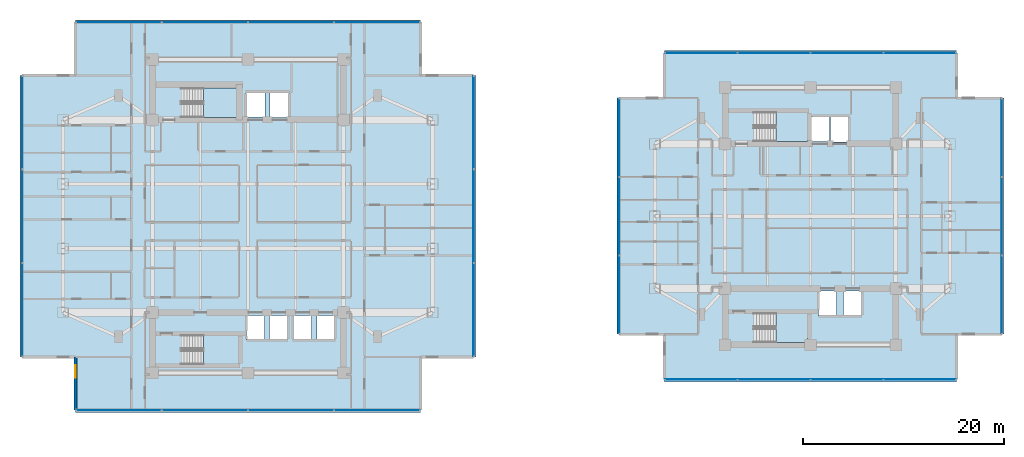
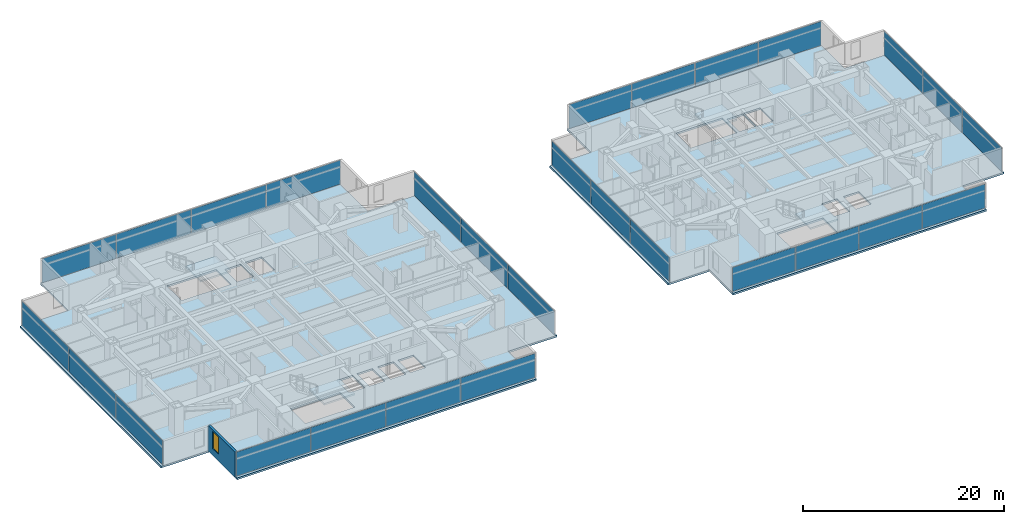
# One storey, part 13 of 26: 28 plates, 6 slabs, 1 wall, 1 window, 1 opening, 12 elements without a shape of their own.
"""IFC4 building model written with IfcOpenShell, lengths in metres."""

from ifc_helpers import new_model, si_unit, direction, frame, frame_2d, origin, origin_2d, place, context, subcontext, project, spatial, polyline, rectangle, outline, extrude, material, layer, layer_set, type_object, element, fill, aggregate, save


model = new_model("IFC4")

# Units and contexts
model_context = context("Model", 3, precision=1e-05, world=origin(), true_north=direction((0.0, 1.0)))
body_context = subcontext(model_context, "Body", "Model", "MODEL_VIEW")
ifc_project = project(units=[si_unit("LENGTHUNIT", "METRE"), si_unit("AREAUNIT", "SQUARE_METRE"), si_unit("VOLUMEUNIT", "CUBIC_METRE"), si_unit("PLANEANGLEUNIT", "RADIAN"), si_unit("MASSUNIT", "GRAM", prefix="KILO")], contexts=[model_context])

# Site, building, storey
site_placement = place(None, origin())
site = spatial("IfcSite", under=ifc_project, at=site_placement, CompositionType="ELEMENT")
building_placement = place(site_placement, origin())
building = spatial("IfcBuilding", under=site, at=building_placement, Name="Mirazonda Arch Towers", CompositionType="ELEMENT")
storey_placement = place(building_placement, frame((0.0, 0.0, 114.800048828125)))
storey = spatial("IfcBuildingStorey", under=building, at=storey_placement, Name="L32", CompositionType="ELEMENT", Elevation=114.800048828125)

# Curtain wall, plates
ifc_material_1 = material(Name="Anodised Aluminium and Low-E Glass", Category="aluminium")
curtain_wall_type = type_object("IfcCurtainWallType", Name="CW-HTL-UNIT", PredefinedType="NOTDEFINED", material=ifc_material_1)
curtain_wall_1_placement = place(storey_placement, origin())
curtain_wall_1 = element("IfcCurtainWall", 1, at=curtain_wall_1_placement, inside=storey, type_object=curtain_wall_type, Name="L32 T1 S Facade CW-L32-T1-S", PredefinedType="NOTDEFINED")
ifc_material_2 = material(Name="Insulated Low-E Solar Glass", Category="glass")
ifc_layer_1 = layer(ifc_material_2, 0.035888671875, Name="PAN-CW-HTL-UNIT")
ifc_layer_set_1 = layer_set([ifc_layer_1], Name="Insulated Low-E Solar Glass")
plate_type = type_object("IfcPlateType", Name="PAN-CW-HTL-UNIT", PredefinedType="CURTAIN_PANEL", material=ifc_layer_set_1)
plate_1_placement = place(storey_placement, frame((33.35498046875, 8.68603515625, 0.0751953125), z_axis=(0.0, 0.0, 1.0), x_axis=(-1.0, 0.0, 0.0)))
plate_1 = element("IfcPlate", 2, at=plate_1_placement, type_object=plate_type, Name="CW-112 panel 1.1", PredefinedType="CURTAIN_PANEL", context=body_context, shape_type="SweptSolid", body=[
    extrude(rectangle(XDim=8.469970703125, YDim=0.035888671875, at=origin_2d()), origin(), (0.0, 0.0, 1.0), 2.909912109375),
])
plate_2_placement = place(storey_placement, frame((24.791259765625, 8.68603515625, 0.0751953125), z_axis=(0.0, 0.0, 1.0), x_axis=(-1.0, 0.0, 0.0)))
plate_2 = element("IfcPlate", 3, at=plate_2_placement, type_object=plate_type, Name="CW-112 panel 2.1", PredefinedType="CURTAIN_PANEL", context=body_context, shape_type="SweptSolid", body=[
    extrude(rectangle(XDim=8.507568359375, YDim=0.035888671875, at=origin_2d()), origin(), (0.0, 0.0, 1.0), 2.909912109375),
])
plate_3_placement = place(storey_placement, frame((16.208740234375, 8.68603515625, 0.0751953125), z_axis=(0.0, 0.0, 1.0), x_axis=(-1.0, 0.0, 0.0)))
plate_3 = element("IfcPlate", 4, at=plate_3_placement, type_object=plate_type, Name="CW-112 panel 3.1", PredefinedType="CURTAIN_PANEL", context=body_context, shape_type="SweptSolid", body=[
    extrude(rectangle(XDim=8.507568359375, YDim=0.035888671875, at=origin_2d()), origin(), (0.0, 0.0, 1.0), 2.909912109375),
])
plate_4_placement = place(storey_placement, frame((7.64501953125, 8.68603515625, 0.0751953125), z_axis=(0.0, 0.0, 1.0), x_axis=(-1.0, 0.0, 0.0)))
plate_4 = element("IfcPlate", 5, at=plate_4_placement, type_object=plate_type, Name="CW-112 panel 4.1", PredefinedType="CURTAIN_PANEL", context=body_context, shape_type="SweptSolid", body=[
    extrude(rectangle(XDim=8.469970703125, YDim=0.035888671875, at=origin_2d()), origin(), (0.0, 0.0, 1.0), 2.909912109375),
])
aggregate(curtain_wall_1, [plate_1, plate_2, plate_3, plate_4])

curtain_wall_2_placement = place(storey_placement, origin())
curtain_wall_2 = element("IfcCurtainWall", 6, at=curtain_wall_2_placement, inside=storey, type_object=curtain_wall_type, Name="L32 T1 E Facade CW-L32-T1-E", PredefinedType="NOTDEFINED")
plate_5_placement = place(storey_placement, frame((42.969970703125, 18.679443359375, 0.0751953125), z_axis=(0.0, 0.0, 1.0), x_axis=(0.0, 1.0, 0.0)))
plate_5 = element("IfcPlate", 7, at=plate_5_placement, type_object=plate_type, Name="CW-112 panel 1.1", PredefinedType="CURTAIN_PANEL", context=body_context, shape_type="SweptSolid", body=[
    extrude(rectangle(XDim=9.226806640625, YDim=0.035888671875, at=origin_2d()), origin(), (0.0, 0.0, 1.0), 2.909912109375),
])
plate_6_placement = place(storey_placement, frame((42.969970703125, 28.0, 0.0751953125), z_axis=(0.0, 0.0, 1.0), x_axis=(0.0, 1.0, 0.0)))
plate_6 = element("IfcPlate", 8, at=plate_6_placement, type_object=plate_type, Name="CW-112 panel 2.1", PredefinedType="CURTAIN_PANEL", context=body_context, shape_type="SweptSolid", body=[
    extrude(rectangle(XDim=9.264404296875, YDim=0.035888671875, at=origin_2d()), origin(), (0.0, 0.0, 1.0), 2.909912109375),
])
plate_7_placement = place(storey_placement, frame((42.969970703125, 37.320556640625, 0.0751953125), z_axis=(0.0, 0.0, 1.0), x_axis=(0.0, 1.0, 0.0)))
plate_7 = element("IfcPlate", 9, at=plate_7_placement, type_object=plate_type, Name="CW-112 panel 3.1", PredefinedType="CURTAIN_PANEL", context=body_context, shape_type="SweptSolid", body=[
    extrude(rectangle(XDim=9.226806640625, YDim=0.035888671875, at=origin_2d()), origin(), (0.0, 0.0, 1.0), 2.909912109375),
])
aggregate(curtain_wall_2, [plate_5, plate_6, plate_7])

curtain_wall_3_placement = place(storey_placement, origin())
curtain_wall_3 = element("IfcCurtainWall", 10, at=curtain_wall_3_placement, inside=storey, type_object=curtain_wall_type, Name="L32 T1 N Facade CW-L32-T1-N", PredefinedType="NOTDEFINED")
plate_8_placement = place(storey_placement, frame((7.64501953125, 47.31396484375, 0.0751953125), z_axis=(0.0, 0.0, 1.0), x_axis=(1.0, 0.0, 0.0)))
plate_8 = element("IfcPlate", 11, at=plate_8_placement, type_object=plate_type, Name="CW-112 panel 1.1", PredefinedType="CURTAIN_PANEL", context=body_context, shape_type="SweptSolid", body=[
    extrude(rectangle(XDim=8.469970703125, YDim=0.035888671875, at=origin_2d()), origin(), (0.0, 0.0, 1.0), 2.909912109375),
])
plate_9_placement = place(storey_placement, frame((16.208740234375, 47.31396484375, 0.0751953125), z_axis=(0.0, 0.0, 1.0), x_axis=(1.0, 0.0, 0.0)))
plate_9 = element("IfcPlate", 12, at=plate_9_placement, type_object=plate_type, Name="CW-112 panel 2.1", PredefinedType="CURTAIN_PANEL", context=body_context, shape_type="SweptSolid", body=[
    extrude(rectangle(XDim=8.507568359375, YDim=0.035888671875, at=origin_2d()), origin(), (0.0, 0.0, 1.0), 2.909912109375),
])
plate_10_placement = place(storey_placement, frame((24.791259765625, 47.31396484375, 0.0751953125), z_axis=(0.0, 0.0, 1.0), x_axis=(1.0, 0.0, 0.0)))
plate_10 = element("IfcPlate", 13, at=plate_10_placement, type_object=plate_type, Name="CW-112 panel 3.1", PredefinedType="CURTAIN_PANEL", context=body_context, shape_type="SweptSolid", body=[
    extrude(rectangle(XDim=8.507568359375, YDim=0.035888671875, at=origin_2d()), origin(), (0.0, 0.0, 1.0), 2.909912109375),
])
plate_11_placement = place(storey_placement, frame((33.35498046875, 47.31396484375, 0.0751953125), z_axis=(0.0, 0.0, 1.0), x_axis=(1.0, 0.0, 0.0)))
plate_11 = element("IfcPlate", 14, at=plate_11_placement, type_object=plate_type, Name="CW-112 panel 4.1", PredefinedType="CURTAIN_PANEL", context=body_context, shape_type="SweptSolid", body=[
    extrude(rectangle(XDim=8.469970703125, YDim=0.035888671875, at=origin_2d()), origin(), (0.0, 0.0, 1.0), 2.909912109375),
])
aggregate(curtain_wall_3, [plate_8, plate_9, plate_10, plate_11])

curtain_wall_4_placement = place(storey_placement, origin())
curtain_wall_4 = element("IfcCurtainWall", 15, at=curtain_wall_4_placement, inside=storey, type_object=curtain_wall_type, Name="L32 T1 W Facade CW-L32-T1-W", PredefinedType="NOTDEFINED")
plate_12_placement = place(storey_placement, frame((-1.969970703125, 37.320556640625, 0.0751953125), z_axis=(0.0, 0.0, 1.0), x_axis=(0.0, -1.0, 0.0)))
plate_12 = element("IfcPlate", 16, at=plate_12_placement, type_object=plate_type, Name="CW-112 panel 1.1", PredefinedType="CURTAIN_PANEL", context=body_context, shape_type="SweptSolid", body=[
    extrude(rectangle(XDim=9.226806640625, YDim=0.035888671875, at=origin_2d()), origin(), (0.0, 0.0, 1.0), 2.909912109375),
])
plate_13_placement = place(storey_placement, frame((-1.969970703125, 28.0, 0.0751953125), z_axis=(0.0, 0.0, 1.0), x_axis=(0.0, -1.0, 0.0)))
plate_13 = element("IfcPlate", 17, at=plate_13_placement, type_object=plate_type, Name="CW-112 panel 2.1", PredefinedType="CURTAIN_PANEL", context=body_context, shape_type="SweptSolid", body=[
    extrude(rectangle(XDim=9.264404296875, YDim=0.035888671875, at=origin_2d()), origin(), (0.0, 0.0, 1.0), 2.909912109375),
])
plate_14_placement = place(storey_placement, frame((-1.969970703125, 18.679443359375, 0.0751953125), z_axis=(0.0, 0.0, 1.0), x_axis=(0.0, -1.0, 0.0)))
plate_14 = element("IfcPlate", 18, at=plate_14_placement, type_object=plate_type, Name="CW-112 panel 3.1", PredefinedType="CURTAIN_PANEL", context=body_context, shape_type="SweptSolid", body=[
    extrude(rectangle(XDim=9.226806640625, YDim=0.035888671875, at=origin_2d()), origin(), (0.0, 0.0, 1.0), 2.909912109375),
])
aggregate(curtain_wall_4, [plate_12, plate_13, plate_14])

curtain_wall_5_placement = place(storey_placement, origin())
curtain_wall_5 = element("IfcCurtainWall", 19, at=curtain_wall_5_placement, inside=storey, type_object=curtain_wall_type, Name="L32 T2 S Facade CW-L32-T2-S", PredefinedType="NOTDEFINED")
plate_15_placement = place(storey_placement, frame((87.37890625, 11.736083984375, 0.0751953125), z_axis=(0.0, 0.0, 1.0), x_axis=(-1.0, 0.0, 0.0)))
plate_15 = element("IfcPlate", 20, at=plate_15_placement, type_object=plate_type, Name="CW-112 panel 1.1", PredefinedType="CURTAIN_PANEL", context=body_context, shape_type="SweptSolid", body=[
    extrude(rectangle(XDim=7.152587890625, YDim=0.035888671875, at=origin_2d()), origin(), (0.0, 0.0, 1.0), 2.909912109375),
])
plate_16_placement = place(storey_placement, frame((80.132568359375, 11.736083984375, 0.0751953125), z_axis=(0.0, 0.0, 1.0), x_axis=(-1.0, 0.0, 0.0)))
plate_16 = element("IfcPlate", 21, at=plate_16_placement, type_object=plate_type, Name="CW-112 panel 2.1", PredefinedType="CURTAIN_PANEL", context=body_context, shape_type="SweptSolid", body=[
    extrude(rectangle(XDim=7.190185546875, YDim=0.035888671875, at=origin_2d()), origin(), (0.0, 0.0, 1.0), 2.909912109375),
])
plate_17_placement = place(storey_placement, frame((72.867431640625, 11.736083984375, 0.0751953125), z_axis=(0.0, 0.0, 1.0), x_axis=(-1.0, 0.0, 0.0)))
plate_17 = element("IfcPlate", 22, at=plate_17_placement, type_object=plate_type, Name="CW-112 panel 3.1", PredefinedType="CURTAIN_PANEL", context=body_context, shape_type="SweptSolid", body=[
    extrude(rectangle(XDim=7.190185546875, YDim=0.035888671875, at=origin_2d()), origin(), (0.0, 0.0, 1.0), 2.909912109375),
])
plate_18_placement = place(storey_placement, frame((65.62109375, 11.736083984375, 0.0751953125), z_axis=(0.0, 0.0, 1.0), x_axis=(-1.0, 0.0, 0.0)))
plate_18 = element("IfcPlate", 23, at=plate_18_placement, type_object=plate_type, Name="CW-112 panel 4.1", PredefinedType="CURTAIN_PANEL", context=body_context, shape_type="SweptSolid", body=[
    extrude(rectangle(XDim=7.152587890625, YDim=0.035888671875, at=origin_2d()), origin(), (0.0, 0.0, 1.0), 2.909912109375),
])
aggregate(curtain_wall_5, [plate_15, plate_16, plate_17, plate_18])

curtain_wall_6_placement = place(storey_placement, origin())
curtain_wall_6 = element("IfcCurtainWall", 24, at=curtain_wall_6_placement, inside=storey, type_object=curtain_wall_type, Name="L32 T2 E Facade CW-L32-T2-E", PredefinedType="NOTDEFINED")
plate_19_placement = place(storey_placement, frame((95.54638671875, 20.18701171875, 0.0751953125), z_axis=(0.0, 0.0, 1.0), x_axis=(0.0, 1.0, 0.0)))
plate_19 = element("IfcPlate", 25, at=plate_19_placement, type_object=plate_type, Name="CW-112 panel 1.1", PredefinedType="CURTAIN_PANEL", context=body_context, shape_type="SweptSolid", body=[
    extrude(rectangle(XDim=7.71923828125, YDim=0.035888671875, at=origin_2d()), origin(), (0.0, 0.0, 1.0), 2.909912109375),
])
plate_20_placement = place(storey_placement, frame((95.54638671875, 28.0, 0.0751953125), z_axis=(0.0, 0.0, 1.0), x_axis=(0.0, 1.0, 0.0)))
plate_20 = element("IfcPlate", 26, at=plate_20_placement, type_object=plate_type, Name="CW-112 panel 2.1", PredefinedType="CURTAIN_PANEL", context=body_context, shape_type="SweptSolid", body=[
    extrude(rectangle(XDim=7.7568359375, YDim=0.035888671875, at=origin_2d()), origin(), (0.0, 0.0, 1.0), 2.909912109375),
])
plate_21_placement = place(storey_placement, frame((95.54638671875, 35.81298828125, 0.0751953125), z_axis=(0.0, 0.0, 1.0), x_axis=(0.0, 1.0, 0.0)))
plate_21 = element("IfcPlate", 27, at=plate_21_placement, type_object=plate_type, Name="CW-112 panel 3.1", PredefinedType="CURTAIN_PANEL", context=body_context, shape_type="SweptSolid", body=[
    extrude(rectangle(XDim=7.71923828125, YDim=0.035888671875, at=origin_2d()), origin(), (0.0, 0.0, 1.0), 2.909912109375),
])
aggregate(curtain_wall_6, [plate_19, plate_20, plate_21])

curtain_wall_7_placement = place(storey_placement, origin())
curtain_wall_7 = element("IfcCurtainWall", 28, at=curtain_wall_7_placement, inside=storey, type_object=curtain_wall_type, Name="L32 T2 N Facade CW-L32-T2-N", PredefinedType="NOTDEFINED")
plate_22_placement = place(storey_placement, frame((65.62109375, 44.263916015625, 0.0751953125), z_axis=(0.0, 0.0, 1.0), x_axis=(1.0, 0.0, 0.0)))
plate_22 = element("IfcPlate", 29, at=plate_22_placement, type_object=plate_type, Name="CW-112 panel 1.1", PredefinedType="CURTAIN_PANEL", context=body_context, shape_type="SweptSolid", body=[
    extrude(rectangle(XDim=7.152587890625, YDim=0.035888671875, at=origin_2d()), origin(), (0.0, 0.0, 1.0), 2.909912109375),
])
plate_23_placement = place(storey_placement, frame((72.867431640625, 44.263916015625, 0.0751953125), z_axis=(0.0, 0.0, 1.0), x_axis=(1.0, 0.0, 0.0)))
plate_23 = element("IfcPlate", 30, at=plate_23_placement, type_object=plate_type, Name="CW-112 panel 2.1", PredefinedType="CURTAIN_PANEL", context=body_context, shape_type="SweptSolid", body=[
    extrude(rectangle(XDim=7.190185546875, YDim=0.035888671875, at=origin_2d()), origin(), (0.0, 0.0, 1.0), 2.909912109375),
])
plate_24_placement = place(storey_placement, frame((80.132568359375, 44.263916015625, 0.0751953125), z_axis=(0.0, 0.0, 1.0), x_axis=(1.0, 0.0, 0.0)))
plate_24 = element("IfcPlate", 31, at=plate_24_placement, type_object=plate_type, Name="CW-112 panel 3.1", PredefinedType="CURTAIN_PANEL", context=body_context, shape_type="SweptSolid", body=[
    extrude(rectangle(XDim=7.190185546875, YDim=0.035888671875, at=origin_2d()), origin(), (0.0, 0.0, 1.0), 2.909912109375),
])
plate_25_placement = place(storey_placement, frame((87.37890625, 44.263916015625, 0.0751953125), z_axis=(0.0, 0.0, 1.0), x_axis=(1.0, 0.0, 0.0)))
plate_25 = element("IfcPlate", 32, at=plate_25_placement, type_object=plate_type, Name="CW-112 panel 4.1", PredefinedType="CURTAIN_PANEL", context=body_context, shape_type="SweptSolid", body=[
    extrude(rectangle(XDim=7.152587890625, YDim=0.035888671875, at=origin_2d()), origin(), (0.0, 0.0, 1.0), 2.909912109375),
])
aggregate(curtain_wall_7, [plate_22, plate_23, plate_24, plate_25])

curtain_wall_8_placement = place(storey_placement, origin())
curtain_wall_8 = element("IfcCurtainWall", 33, at=curtain_wall_8_placement, inside=storey, type_object=curtain_wall_type, Name="L32 T2 W Facade CW-L32-T2-W", PredefinedType="NOTDEFINED")
plate_26_placement = place(storey_placement, frame((57.45361328125, 35.81298828125, 0.0751953125), z_axis=(0.0, 0.0, 1.0), x_axis=(0.0, -1.0, 0.0)))
plate_26 = element("IfcPlate", 34, at=plate_26_placement, type_object=plate_type, Name="CW-112 panel 1.1", PredefinedType="CURTAIN_PANEL", context=body_context, shape_type="SweptSolid", body=[
    extrude(rectangle(XDim=7.71923828125, YDim=0.035888671875, at=origin_2d()), origin(), (0.0, 0.0, 1.0), 2.909912109375),
])
plate_27_placement = place(storey_placement, frame((57.45361328125, 28.0, 0.0751953125), z_axis=(0.0, 0.0, 1.0), x_axis=(0.0, -1.0, 0.0)))
plate_27 = element("IfcPlate", 35, at=plate_27_placement, type_object=plate_type, Name="CW-112 panel 2.1", PredefinedType="CURTAIN_PANEL", context=body_context, shape_type="SweptSolid", body=[
    extrude(rectangle(XDim=7.7568359375, YDim=0.035888671875, at=origin_2d()), origin(), (0.0, 0.0, 1.0), 2.909912109375),
])
plate_28_placement = place(storey_placement, frame((57.45361328125, 20.18701171875, 0.0751953125), z_axis=(0.0, 0.0, 1.0), x_axis=(0.0, -1.0, 0.0)))
plate_28 = element("IfcPlate", 36, at=plate_28_placement, type_object=plate_type, Name="CW-112 panel 3.1", PredefinedType="CURTAIN_PANEL", context=body_context, shape_type="SweptSolid", body=[
    extrude(rectangle(XDim=7.71923828125, YDim=0.035888671875, at=origin_2d()), origin(), (0.0, 0.0, 1.0), 2.909912109375),
])
aggregate(curtain_wall_8, [plate_26, plate_27, plate_28])

# Stair, slab
ifc_material_3 = material(Name="Concrete C40/50", Category="concrete")
stair_type = type_object("IfcStairType", Name="STAIR-CORE-1400", PredefinedType="HALF_TURN_STAIR", material=ifc_material_3)
stair_1_placement = place(storey_placement, origin())
stair_1 = element("IfcStair", 37, at=stair_1_placement, inside=storey, type_object=stair_type, Name="L32 Protected Exit Stair ST-T1N", PredefinedType="HALF_TURN_STAIR")
ifc_layer_2 = layer(ifc_material_3, 0.18994140625, Name="SLAB-LANDING-190")
ifc_layer_set_2 = layer_set([ifc_layer_2], Name="Concrete C40/50")
slab_type_1 = type_object("IfcSlabType", Name="SLAB-LANDING-190", PredefinedType="LANDING", material=ifc_layer_set_2)
slab_1_placement = place(storey_placement, frame((0.0, 0.0, 1.449951171875)))
slab_1 = element("IfcSlab", 38, at=slab_1_placement, type_object=slab_type_1, Name="ST-T1N landing 1", PredefinedType="LANDING", context=body_context, shape_type="SweptSolid", body=[
    extrude(outline(polyline([(16.090087890625, 37.820068359375), (19.60009765625, 37.820068359375), (19.60009765625, 40.760009765625), (16.090087890625, 40.760009765625), (16.090087890625, 37.820068359375)])), origin(), (0.0, 0.0, 1.0), 0.199951171875),
])
aggregate(stair_1, [slab_1])

stair_2_placement = place(storey_placement, origin())
stair_2 = element("IfcStair", 39, at=stair_2_placement, inside=storey, type_object=stair_type, Name="L32 Protected Exit Stair ST-T1S", PredefinedType="HALF_TURN_STAIR")
slab_2_placement = place(storey_placement, frame((0.0, 0.0, 1.449951171875)))
slab_2 = element("IfcSlab", 40, at=slab_2_placement, type_object=slab_type_1, Name="ST-T1S landing 1", PredefinedType="LANDING", context=body_context, shape_type="SweptSolid", body=[
    extrude(outline(polyline([(16.090087890625, 13.25), (19.60009765625, 13.25), (19.60009765625, 16.18994140625), (16.090087890625, 16.18994140625), (16.090087890625, 13.25)])), origin(), (0.0, 0.0, 1.0), 0.199951171875),
])
aggregate(stair_2, [slab_2])

stair_3_placement = place(storey_placement, origin())
stair_3 = element("IfcStair", 41, at=stair_3_placement, inside=storey, type_object=stair_type, Name="L32 Protected Exit Stair ST-T2N", PredefinedType="HALF_TURN_STAIR")
slab_3_placement = place(storey_placement, frame((0.0, 0.0, 1.449951171875)))
slab_3 = element("IfcSlab", 42, at=slab_3_placement, type_object=slab_type_1, Name="ST-T2N landing 1", PredefinedType="LANDING", context=body_context, shape_type="SweptSolid", body=[
    extrude(outline(polyline([(73.090087890625, 35.419921875), (76.22998046875, 35.419921875), (76.22998046875, 38.360107421875), (73.090087890625, 38.360107421875), (73.090087890625, 35.419921875)])), origin(), (0.0, 0.0, 1.0), 0.199951171875),
])
aggregate(stair_3, [slab_3])

stair_4_placement = place(storey_placement, origin())
stair_4 = element("IfcStair", 43, at=stair_4_placement, inside=storey, type_object=stair_type, Name="L32 Protected Exit Stair ST-T2S", PredefinedType="HALF_TURN_STAIR")
slab_4_placement = place(storey_placement, frame((0.0, 0.0, 1.449951171875)))
slab_4 = element("IfcSlab", 44, at=slab_4_placement, type_object=slab_type_1, Name="ST-T2S landing 1", PredefinedType="LANDING", context=body_context, shape_type="SweptSolid", body=[
    extrude(outline(polyline([(73.090087890625, 15.419921875), (76.22998046875, 15.419921875), (76.22998046875, 18.360107421875), (73.090087890625, 18.360107421875), (73.090087890625, 15.419921875)])), origin(), (0.0, 0.0, 1.0), 0.199951171875),
])
aggregate(stair_4, [slab_4])

# Slabs
ifc_layer_3 = layer(ifc_material_3, 0.219970703125, Name="SLAB-TWR-220")
ifc_layer_set_3 = layer_set([ifc_layer_3], Name="Concrete C40/50")
slab_type_2 = type_object("IfcSlabType", Name="SLAB-TWR-220", PredefinedType="FLOOR", material=ifc_layer_set_3)
slab_5_placement = place(storey_placement, frame((0.0, 0.0, -0.219970703125)))
element("IfcSlab", 45, at=slab_5_placement, inside=storey, type_object=slab_type_2, Name="L32 Tower 1 Floor Slab", PredefinedType="FLOOR", context=body_context, shape_type="SweptSolid", body=[
    extrude(outline(polyline([(3.3349609375, 8.466064453125), (37.6650390625, 8.466064453125), (37.6650390625, 13.990966796875), (43.18994140625, 13.990966796875), (43.18994140625, 42.009033203125), (37.6650390625, 42.009033203125), (37.6650390625, 47.533935546875), (3.3349609375, 47.533935546875), (3.3349609375, 42.009033203125), (-2.18994140625, 42.009033203125), (-2.18994140625, 13.990966796875), (3.3349609375, 13.990966796875), (3.3349609375, 8.466064453125)]), holes=[polyline([(27.360107421875, 18.139892578125), (29.139892578125, 18.139892578125), (29.139892578125, 15.659912109375), (27.360107421875, 15.659912109375), (27.360107421875, 18.139892578125)]), polyline([(25.06005859375, 18.139892578125), (26.840087890625, 18.139892578125), (26.840087890625, 15.659912109375), (25.06005859375, 15.659912109375), (25.06005859375, 18.139892578125)]), polyline([(22.7099609375, 40.389892578125), (24.590087890625, 40.389892578125), (24.590087890625, 37.81005859375), (22.7099609375, 37.81005859375), (22.7099609375, 40.389892578125)]), polyline([(22.659912109375, 18.139892578125), (24.43994140625, 18.139892578125), (24.43994140625, 15.659912109375), (22.659912109375, 15.659912109375), (22.659912109375, 18.139892578125)]), polyline([(20.31005859375, 40.340087890625), (22.18994140625, 40.340087890625), (22.18994140625, 37.860107421875), (20.31005859375, 37.860107421875), (20.31005859375, 40.340087890625)]), polyline([(20.360107421875, 18.139892578125), (22.139892578125, 18.139892578125), (22.139892578125, 15.659912109375), (20.360107421875, 15.659912109375), (20.360107421875, 18.139892578125)]), polyline([(13.925048828125, 13.25), (13.925048828125, 16.18994140625), (19.60009765625, 16.18994140625), (19.60009765625, 13.25), (13.925048828125, 13.25)]), polyline([(13.925048828125, 37.820068359375), (13.925048828125, 40.760009765625), (19.60009765625, 40.760009765625), (19.60009765625, 37.820068359375), (13.925048828125, 37.820068359375)])]), origin(), (0.0, 0.0, 1.0), 0.219970703125),
])
slab_6_placement = place(storey_placement, frame((0.0, 0.0, -0.219970703125)))
element("IfcSlab", 46, at=slab_6_placement, inside=storey, type_object=slab_type_2, Name="L32 Tower 2 Floor Slab", PredefinedType="FLOOR", context=body_context, shape_type="SweptSolid", body=[
    extrude(outline(polyline([(61.9697265625, 11.51611328125), (91.0302734375, 11.51611328125), (91.0302734375, 16.25244140625), (95.7666015625, 16.25244140625), (95.7666015625, 39.74755859375), (91.0302734375, 39.74755859375), (91.0302734375, 44.48388671875), (61.9697265625, 44.48388671875), (61.9697265625, 39.74755859375), (57.2333984375, 39.74755859375), (57.2333984375, 16.25244140625), (61.9697265625, 16.25244140625), (61.9697265625, 11.51611328125)]), holes=[polyline([(79.81005859375, 20.5400390625), (81.590087890625, 20.5400390625), (81.590087890625, 18.06005859375), (79.81005859375, 18.06005859375), (79.81005859375, 20.5400390625)]), polyline([(78.47998046875, 37.989990234375), (80.360107421875, 37.989990234375), (80.360107421875, 35.409912109375), (78.47998046875, 35.409912109375), (78.47998046875, 37.989990234375)]), polyline([(77.31005859375, 20.5400390625), (79.090087890625, 20.5400390625), (79.090087890625, 18.06005859375), (77.31005859375, 18.06005859375), (77.31005859375, 20.5400390625)]), polyline([(76.510009765625, 35.4599609375), (76.510009765625, 37.93994140625), (78.389892578125, 37.93994140625), (78.389892578125, 35.4599609375), (76.510009765625, 35.4599609375)]), polyline([(76.22998046875, 15.419921875), (70.925048828125, 15.419921875), (70.925048828125, 18.360107421875), (76.22998046875, 18.360107421875), (76.22998046875, 15.419921875)]), polyline([(70.925048828125, 35.419921875), (70.925048828125, 38.360107421875), (76.22998046875, 38.360107421875), (76.22998046875, 35.419921875), (70.925048828125, 35.419921875)])]), origin(), (0.0, 0.0, 1.0), 0.219970703125),
])

# Wall, opening, window
ifc_material_4 = material(Name="Precast Concrete C40/50", Category="concrete")
ifc_layer_4 = layer(ifc_material_4, 0.280029296875, Name="WALL-EXT-WALL-280")
ifc_layer_set_4 = layer_set([ifc_layer_4], Name="Precast Concrete C40/50")
wall_type = type_object("IfcWallType", Name="WALL-EXT-WALL-280", PredefinedType="SOLIDWALL", material=ifc_layer_set_4)
wall_placement = place(storey_placement, frame((3.3349609375, 13.990966796875, 0.0), z_axis=(0.0, 0.0, 1.0), x_axis=(0.0, -1.0, 0.0)))
wall = element("IfcWall", 47, at=wall_placement, inside=storey, type_object=wall_type, Name="L32 T1 Notched SW Corner Wall WL-L32-T1-CSW", PredefinedType="SOLIDWALL", context=body_context, shape_type="SweptSolid", body=[
    extrude(rectangle(XDim=5.304931640625, YDim=0.280029296875, at=frame_2d((2.65234375, 0.0))), origin(), (0.0, 0.0, 1.0), 3.06005859375),
])
opening_placement = place(wall_placement, frame((0.85009765625, 0.0, 0.81005859375)))
opening = element("IfcOpeningElement", 48, at=opening_placement, cuts=wall, Name="Opening WN-122", PredefinedType="OPENING", context=body_context, shape_type="SweptSolid", body=[
    extrude(rectangle(XDim=1.199951171875, YDim=2.10009765625, at=frame_2d((0.60009765625, 1.050048828125))), frame((0.0, 0.14990234375, 0.0), z_axis=(0.0, -1.0, 0.0), x_axis=(1.0, 0.0, 0.0)), (0.0, 0.0, 1.0), 0.300048828125),
])
window_type = type_object("IfcWindowType", Name="WIN-HTL-1200x2100", PartitioningType="SINGLE_PANEL", PredefinedType="WINDOW", material=ifc_material_2)
window_placement = place(opening_placement, origin())
window = element("IfcWindow", 49, at=window_placement, inside=storey, type_object=window_type, Name="L32 Punched Facade Window WN-L32-T1-CSW", OverallHeight=2.10009765625, OverallWidth=1.199951171875, PartitioningType="SINGLE_PANEL", PredefinedType="WINDOW", context=body_context, shape_type="SweptSolid", body=[
    extrude(rectangle(XDim=1.199951171875, YDim=2.10009765625, at=frame_2d((0.60009765625, 1.050048828125))), frame((0.0, 0.030029296875, 0.0), z_axis=(0.0, -1.0, 0.0), x_axis=(1.0, 0.0, 0.0)), (0.0, 0.0, 1.0), 0.06005859375),
])
fill(opening, window)

save(model, "model.ifc")
